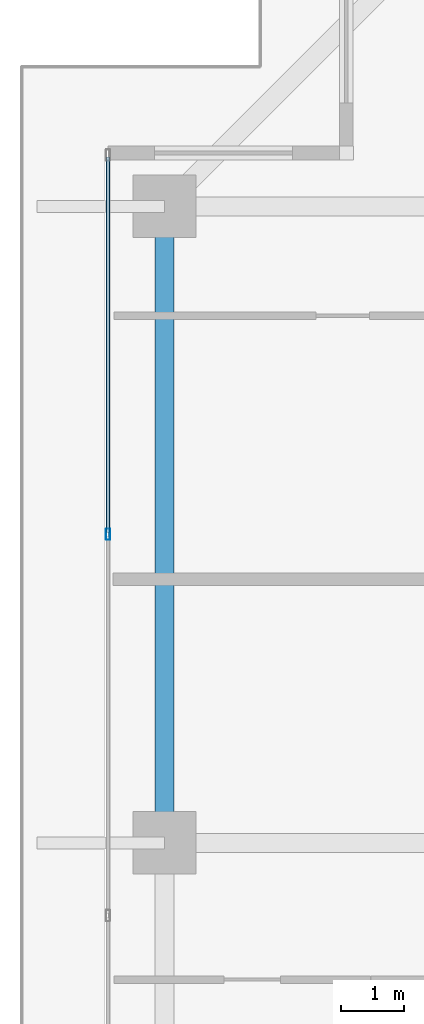
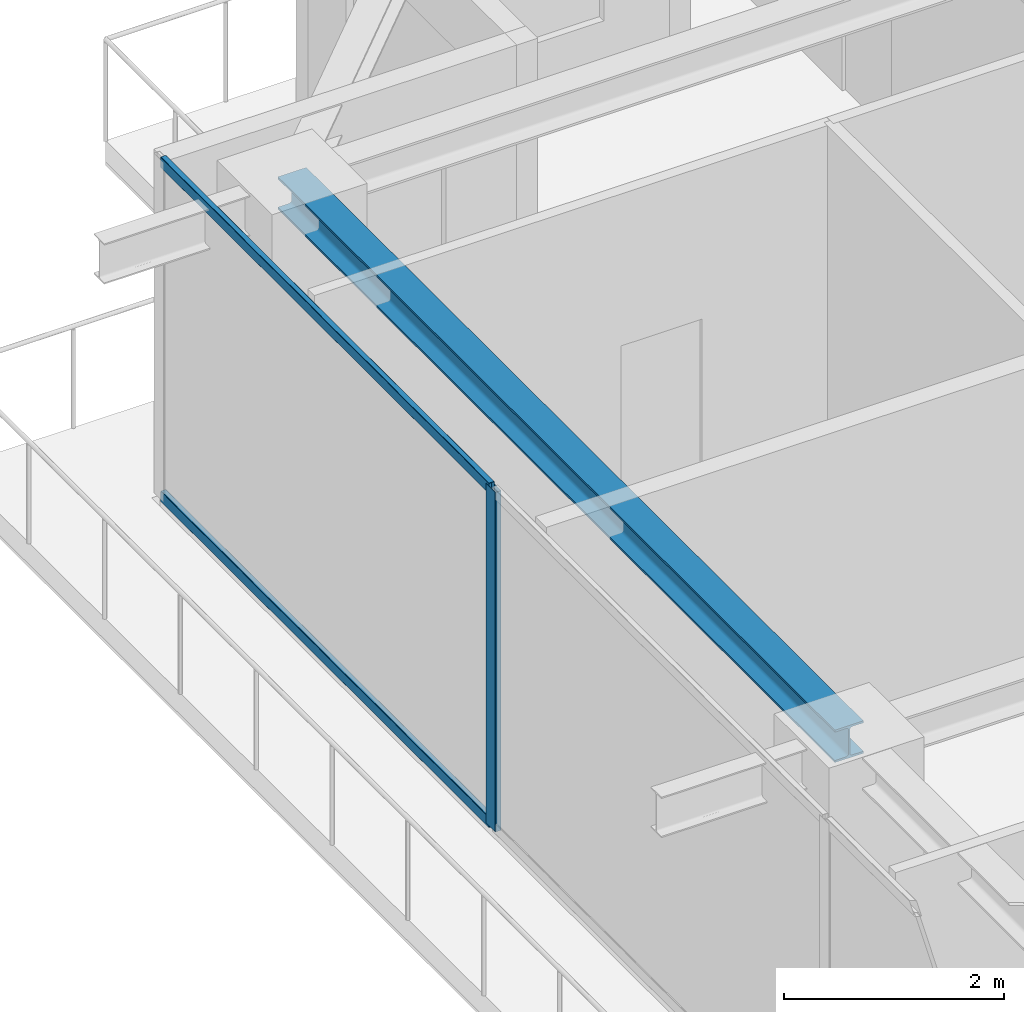
# One storey, part 19 of 42: 3 members, 1 beam, 1 element without a shape of its own.
"""IFC4 building model written with IfcOpenShell, lengths in metres."""

from ifc_helpers import new_model, si_unit, direction, frame, origin, origin_2d, place, context, subcontext, project, spatial, hollow_rectangle, i_section, extrude, source, transform, mapped, material, layer, layer_set, material_profile, profile_set, type_object, element, aggregate, save


model = new_model("IFC4")

# Units and contexts
model_context = context("Model", 3, precision=1e-05, world=origin(), true_north=direction((0.0, 1.0)))
body_context = subcontext(model_context, "Body", "Model", "MODEL_VIEW")
ifc_project = project(units=[si_unit("LENGTHUNIT", "METRE"), si_unit("AREAUNIT", "SQUARE_METRE"), si_unit("VOLUMEUNIT", "CUBIC_METRE"), si_unit("PLANEANGLEUNIT", "RADIAN"), si_unit("MASSUNIT", "GRAM", prefix="KILO")], contexts=[model_context])

# Site, building, storey
site_placement = place(None, origin())
site = spatial("IfcSite", under=ifc_project, at=site_placement, CompositionType="ELEMENT")
building_placement = place(site_placement, origin())
building = spatial("IfcBuilding", under=site, at=building_placement, Name="Serunith Strait Residences", CompositionType="ELEMENT")
storey_placement = place(building_placement, frame((0.0, 0.0, 293.449951171875)))
storey = spatial("IfcBuildingStorey", under=building, at=storey_placement, Name="L73", CompositionType="ELEMENT", Elevation=293.449951171875)

# Beam
ifc_material_1 = material(Name="Steel S355J2", Category="steel")
ifc_material_profile_1 = material_profile(ifc_material_1, i_section(OverallWidth=0.300048828125, OverallDepth=0.360107421875, WebThickness=0.012451171875, FlangeThickness=0.0224609375, FilletRadius=0.027099609375, at=origin_2d()), Name="HEB 360")
ifc_profile_set_1 = profile_set([ifc_material_profile_1], Name="Steel S355J2")
beam_type = type_object("IfcBeamType", Name="BM-HEB360", PredefinedType="BEAM", material=ifc_profile_set_1)
shared_shape_1 = source(origin(), body_context, "Body", "SweptSolid", [
    extrude(i_section(OverallWidth=0.300048828125, OverallDepth=0.360107421875, WebThickness=0.012451171875, FlangeThickness=0.0224609375, FilletRadius=0.027099609375, at=origin_2d()), origin(), (0.0, 0.0, 1.0), 10.150146484375),
])
beam_placement = place(storey_placement, frame((10.10009765625, 39.550048828125, 3.60693359375), z_axis=(0.0, -1.0, 0.0), x_axis=(1.0, 0.0, 0.0)))
element("IfcBeam", 1, at=beam_placement, inside=storey, type_object=beam_type, Name="L73 Perimeter Ring Beam 13", PredefinedType="BEAM", context=body_context, shape_type="MappedRepresentation", body=[
    mapped(shared_shape_1, transform((0.0, 0.0, 0.0), scale=1.0)),
])

# Curtain wall, members
ifc_material_2 = material(Name="Brushed Stainless-Silver Aluminium", Category="aluminium")
ifc_layer = layer(ifc_material_2, 0.199951171875, Name="Brushed Stainless-Silver Aluminium")
ifc_layer_set = layer_set([ifc_layer], Name="Brushed Stainless-Silver Aluminium")
curtain_wall_type = type_object("IfcCurtainWallType", Name="CW-SYS5", PredefinedType="NOTDEFINED", material=ifc_layer_set)
curtain_wall_placement = place(storey_placement, origin())
curtain_wall = element("IfcCurtainWall", 2, at=curtain_wall_placement, inside=storey, type_object=curtain_wall_type, Name="L73 W Unitised Fritted Curtain Wall", PredefinedType="NOTDEFINED")
ifc_material_profile_2 = material_profile(ifc_material_2, hollow_rectangle(XDim=0.06494140625, YDim=0.179931640625, WallThickness=0.00341796875, InnerFilletRadius=0.00537109375, OuterFilletRadius=0.0087890625, at=origin_2d()), Name="ALU 180x65x3.5")
ifc_profile_set_2 = profile_set([ifc_material_profile_2], Name="Brushed Stainless-Silver Aluminium")
member_type_1 = type_object("IfcMemberType", Name="CW-SYS5-MULL", PredefinedType="MULLION", material=ifc_profile_set_2)
shared_shape_2 = source(origin(), body_context, "Body", "SweptSolid", [
    extrude(hollow_rectangle(XDim=0.06494140625, YDim=0.179931640625, WallThickness=0.00341796875, InnerFilletRadius=0.00537109375, OuterFilletRadius=0.0087890625, at=origin_2d()), origin(), (0.0, 0.0, 1.0), 3.775146484375),
])
member_1_placement = place(storey_placement, frame((9.199951171875, 34.320068359375, 0.0), z_axis=(0.0, 0.0, 1.0), x_axis=(1.0, 0.0, 0.0)))
member_1 = element("IfcMember", 3, at=member_1_placement, type_object=member_type_1, Name="CW-5 mullion 2", PredefinedType="MULLION", context=body_context, shape_type="MappedRepresentation", body=[
    mapped(shared_shape_2, transform((0.0, 0.0, 0.0), scale=1.0)),
])
ifc_material_profile_3 = material_profile(ifc_material_2, hollow_rectangle(XDim=0.06005859375, YDim=0.1201171875, WallThickness=0.00341796875, InnerFilletRadius=0.00537109375, OuterFilletRadius=0.0087890625, at=origin_2d()), Name="ALU 120x60x3.5")
ifc_profile_set_3 = profile_set([ifc_material_profile_3], Name="Brushed Stainless-Silver Aluminium")
member_type_2 = type_object("IfcMemberType", Name="CW-SYS5-TRAN", PredefinedType="USERDEFINED", material=ifc_profile_set_3)
shared_shape_3 = source(origin(), body_context, "Body", "SweptSolid", [
    extrude(hollow_rectangle(XDim=0.06005859375, YDim=0.1201171875, WallThickness=0.00341796875, InnerFilletRadius=0.00537109375, OuterFilletRadius=0.0087890625, at=origin_2d()), origin(), (0.0, 0.0, 1.0), 5.982421875),
])
member_2_placement = place(storey_placement, frame((9.199951171875, 40.3349609375, 0.030029296875), z_axis=(0.0, -1.0, 0.0), x_axis=(1.0, 0.0, 0.0)))
member_2 = element("IfcMember", 4, at=member_2_placement, type_object=member_type_2, Name="CW-5 transom 1.1", ObjectType="TRANSOM", PredefinedType="USERDEFINED", context=body_context, shape_type="MappedRepresentation", body=[
    mapped(shared_shape_3, transform((0.0, 0.0, 0.0), scale=1.0)),
])
member_3_placement = place(storey_placement, frame((9.199951171875, 40.3349609375, 3.7451171875), z_axis=(0.0, -1.0, 0.0), x_axis=(1.0, 0.0, 0.0)))
member_3 = element("IfcMember", 5, at=member_3_placement, type_object=member_type_2, Name="CW-5 transom 1.2", ObjectType="TRANSOM", PredefinedType="USERDEFINED", context=body_context, shape_type="MappedRepresentation", body=[
    mapped(shared_shape_3, transform((0.0, 0.0, 0.0), scale=1.0)),
])
aggregate(curtain_wall, [member_1, member_2, member_3])

save(model, "model.ifc")
